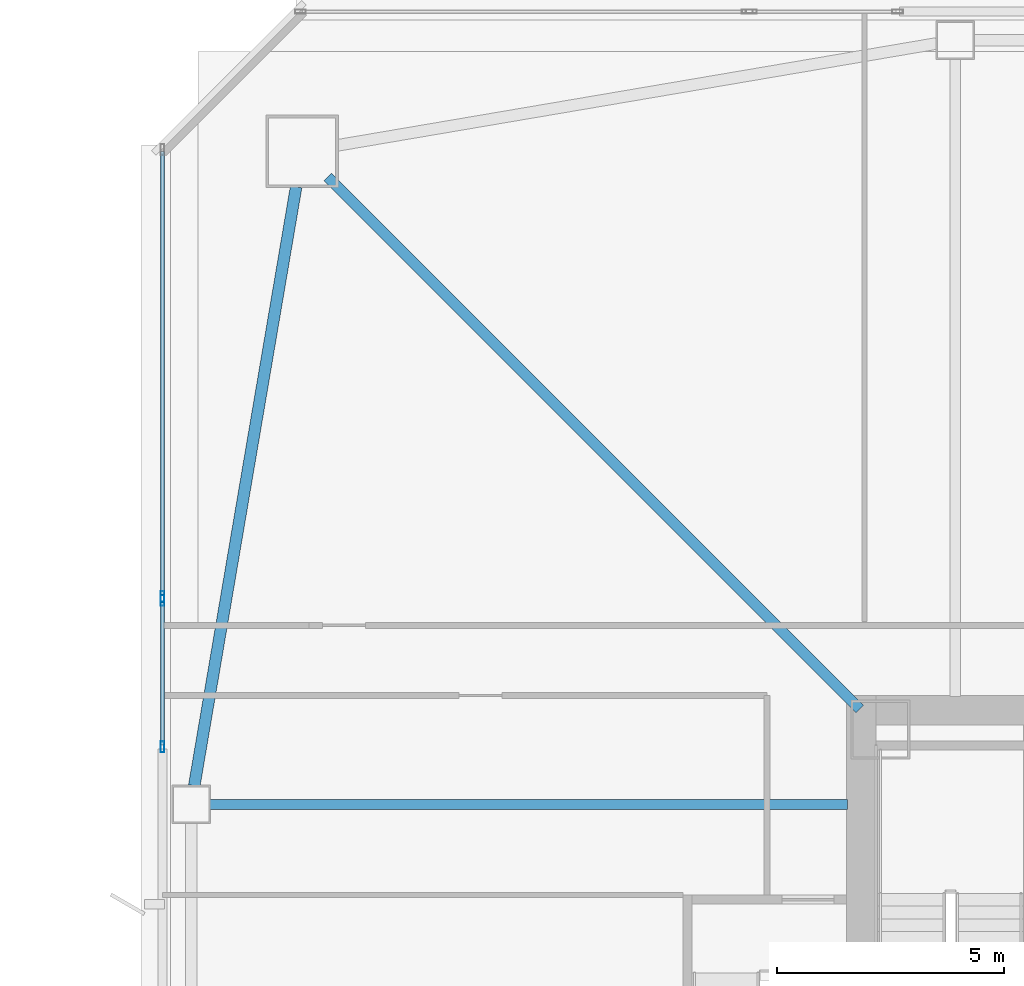
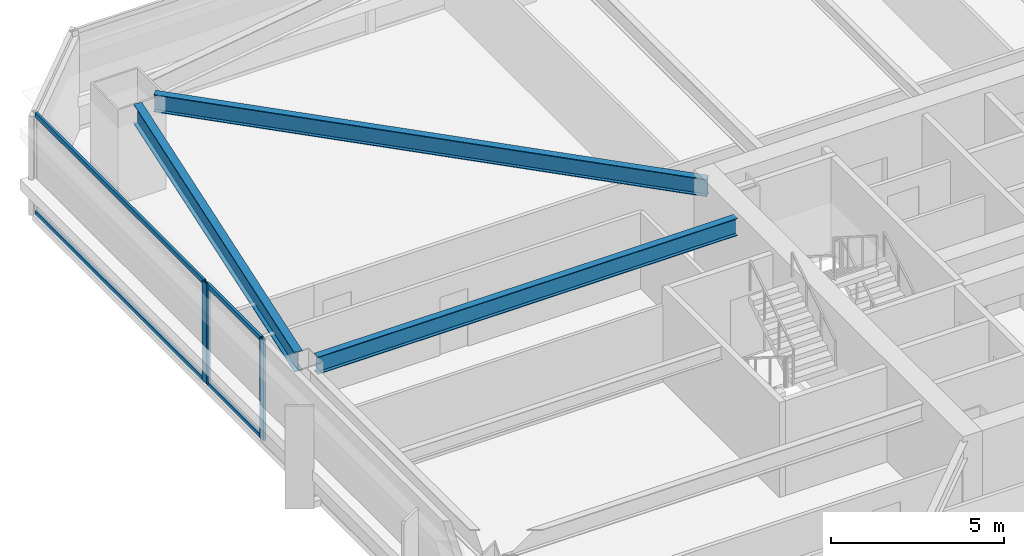
# One storey, part 13 of 62: 7 members, 3 beams, 2 elements without a shape of their own.
"""IFC4 building model written with IfcOpenShell, lengths in metres."""

from ifc_helpers import new_model, si_unit, direction, frame, origin, origin_2d, place, context, subcontext, project, spatial, hollow_rectangle, i_section, extrude, material, material_profile, profile_set, type_object, element, aggregate, save


model = new_model("IFC4")

# Units and contexts
model_context = context("Model", 3, precision=1e-05, world=origin(), true_north=direction((0.0, 1.0)))
body_context = subcontext(model_context, "Body", "Model", "MODEL_VIEW")
ifc_project = project(units=[si_unit("LENGTHUNIT", "METRE"), si_unit("AREAUNIT", "SQUARE_METRE"), si_unit("VOLUMEUNIT", "CUBIC_METRE"), si_unit("PLANEANGLEUNIT", "RADIAN"), si_unit("MASSUNIT", "GRAM", prefix="KILO")], contexts=[model_context])

# Site, building, storey
site_placement = place(None, origin())
site = spatial("IfcSite", under=ifc_project, at=site_placement, CompositionType="ELEMENT")
building_placement = place(site_placement, origin())
building = spatial("IfcBuilding", under=site, at=building_placement, Name="Tashvorn Skyway Center", CompositionType="ELEMENT")
storey_placement = place(building_placement, frame((0.0, 0.0, 28.14990234375)))
storey = spatial("IfcBuildingStorey", under=building, at=storey_placement, Name="L06", CompositionType="ELEMENT", Elevation=28.14990234375)

# Beams
ifc_material_1 = material(Name="Steel ASTM A992 Grade 50", Category="steel")
ifc_material_profile_1 = material_profile(ifc_material_1, i_section(OverallWidth=0.22998046875, OverallDepth=0.616943359375, WebThickness=0.01318359375, FlangeThickness=0.022216796875, at=origin_2d()), Name="W24X94")
ifc_profile_set_1 = profile_set([ifc_material_profile_1], Name="Steel ASTM A992 Grade 50")
beam_type_1 = type_object("IfcBeamType", Name="BM-BEAM-W24X94", PredefinedType="BEAM", material=ifc_profile_set_1)
beam_1_placement = place(storey_placement, frame((22.76220703125, 51.23779296875, 3.04150390625), z_axis=(0.707106781187, -0.707106781187, 0.0), x_axis=(0.707106781187, 0.707106781187, 0.0)))
element("IfcBeam", 1, at=beam_1_placement, inside=storey, type_object=beam_type_1, Name="Tower 1 L06 Primary Floor Girder MC-NW", PredefinedType="BEAM", context=body_context, shape_type="SweptSolid", body=[
    extrude(i_section(OverallWidth=0.22998046875, OverallDepth=0.616943359375, WebThickness=0.01318359375, FlangeThickness=0.022216796875, at=origin_2d()), origin(), (0.0, 0.0, 1.0), 16.591064453125),
])
beam_2_placement = place(storey_placement, frame((20.169921875, 37.39990234375, 3.04150390625), z_axis=(1.0, 0.0, 0.0), x_axis=(0.0, 1.0, 0.0)))
element("IfcBeam", 2, at=beam_2_placement, inside=storey, type_object=beam_type_1, Name="Tower 1 L06 Primary Floor Girder FC-W1", PredefinedType="BEAM", context=body_context, shape_type="SweptSolid", body=[
    extrude(i_section(OverallWidth=0.22998046875, OverallDepth=0.616943359375, WebThickness=0.01318359375, FlangeThickness=0.022216796875, at=origin_2d()), origin(), (0.0, 0.0, 1.0), 14.050048828125),
])
ifc_material_profile_2 = material_profile(ifc_material_1, i_section(OverallWidth=0.256103515625, OverallDepth=0.693115234375, WebThickness=0.014404296875, FlangeThickness=0.023681640625, at=origin_2d()), Name="W27X114")
ifc_profile_set_2 = profile_set([ifc_material_profile_2], Name="Steel ASTM A992 Grade 50")
beam_type_2 = type_object("IfcBeamType", Name="BM-SPANDREL-W27X114", PredefinedType="SPANDREL", material=ifc_profile_set_2)
beam_3_placement = place(storey_placement, frame((22.066650390625, 51.016357421875, 3.003662109375), z_axis=(-0.16771792509, -0.985835025551, 0.0), x_axis=(0.985835025551, -0.16771792509, 0.0)))
element("IfcBeam", 3, at=beam_3_placement, inside=storey, type_object=beam_type_2, Name="Tower 1 L06 Spandrel Beam 10", PredefinedType="SPANDREL", context=body_context, shape_type="SweptSolid", body=[
    extrude(i_section(OverallWidth=0.256103515625, OverallDepth=0.693115234375, WebThickness=0.014404296875, FlangeThickness=0.023681640625, at=origin_2d()), origin(), (0.0, 0.0, 1.0), 13.39208984375),
])

# Curtain wall, members
ifc_material_2 = material(Name="Thermally broken bronze-anodized aluminium 6063-T6", Category="aluminium")
curtain_wall_type = type_object("IfcCurtainWallType", Name="CW-CW-Z1", PredefinedType="NOTDEFINED", material=ifc_material_2)
curtain_wall_1_placement = place(storey_placement, origin())
curtain_wall_1 = element("IfcCurtainWall", 4, at=curtain_wall_1_placement, inside=storey, type_object=curtain_wall_type, Name="Tower 1 L06 West Unitised Curtain Wall Glazing Group 3", PredefinedType="NOTDEFINED")
ifc_material_profile_3 = material_profile(ifc_material_2, hollow_rectangle(XDim=0.0849609375, YDim=0.239990234375, WallThickness=0.0048828125, at=origin_2d()), Name="ALU-MULL-85x240")
ifc_profile_set_3 = profile_set([ifc_material_profile_3], Name="Thermally broken bronze-anodized aluminium 6063-T6")
member_type_1 = type_object("IfcMemberType", Name="CWM-CW-Z1", PredefinedType="MULLION", material=ifc_profile_set_3)
member_1_placement = place(storey_placement, frame((19.1201171875, 38.669189453125, 0.0), z_axis=(0.0, 0.0, 1.0), x_axis=(-1.0, 0.0, 0.0)))
member_1 = element("IfcMember", 5, at=member_1_placement, type_object=member_type_1, Name="CW-Z1 mullion 1", PredefinedType="MULLION", context=body_context, shape_type="SweptSolid", body=[
    extrude(hollow_rectangle(XDim=0.0849609375, YDim=0.239990234375, WallThickness=0.0048828125, at=origin_2d()), origin(), (0.0, 0.0, 1.0), 3.550048828125),
])
member_2_placement = place(storey_placement, frame((19.1201171875, 41.8974609375, 0.0), z_axis=(0.0, 0.0, 1.0), x_axis=(-1.0, 0.0, 0.0)))
member_2 = element("IfcMember", 6, at=member_2_placement, type_object=member_type_1, Name="CW-Z1 mullion 2", PredefinedType="MULLION", context=body_context, shape_type="SweptSolid", body=[
    extrude(hollow_rectangle(XDim=0.0849609375, YDim=0.239990234375, WallThickness=0.0048828125, at=origin_2d()), origin(), (0.0, 0.0, 1.0), 3.550048828125),
])

# Curtain wall, member
curtain_wall_2_placement = place(storey_placement, origin())
curtain_wall_2 = element("IfcCurtainWall", 7, at=curtain_wall_2_placement, inside=storey, type_object=curtain_wall_type, Name="Tower 1 L06 West Unitised Curtain Wall Glazing Group 4", PredefinedType="NOTDEFINED")
member_3_placement = place(storey_placement, frame((19.1201171875, 41.982421875, 0.0), z_axis=(0.0, 0.0, 1.0), x_axis=(-1.0, 0.0, 0.0)))
member_3 = element("IfcMember", 8, at=member_3_placement, type_object=member_type_1, Name="CW-Z1 mullion 1", PredefinedType="MULLION", context=body_context, shape_type="SweptSolid", body=[
    extrude(hollow_rectangle(XDim=0.0849609375, YDim=0.239990234375, WallThickness=0.0048828125, at=origin_2d()), origin(), (0.0, 0.0, 1.0), 3.550048828125),
])

# Member
ifc_material_profile_4 = material_profile(ifc_material_2, hollow_rectangle(XDim=0.0849609375, YDim=0.1650390625, WallThickness=0.0048828125, at=origin_2d()), Name="ALU-TRAN-85x165")
ifc_profile_set_4 = profile_set([ifc_material_profile_4], Name="Thermally broken bronze-anodized aluminium 6063-T6")
member_type_2 = type_object("IfcMemberType", Name="CWT-CW-Z1", PredefinedType="USERDEFINED", material=ifc_profile_set_4)
member_4_placement = place(storey_placement, frame((19.1201171875, 38.711669921875, 0.04248046875), z_axis=(0.0, 1.0, 0.0), x_axis=(-1.0, 0.0, 0.0)))
member_4 = element("IfcMember", 9, at=member_4_placement, type_object=member_type_2, Name="CW-Z1 transom 1.1", ObjectType="TRANSOM", PredefinedType="USERDEFINED", context=body_context, shape_type="SweptSolid", body=[
    extrude(hollow_rectangle(XDim=0.0849609375, YDim=0.1650390625, WallThickness=0.0048828125, at=origin_2d()), origin(), (0.0, 0.0, 1.0), 3.143310546875),
])

member_5_placement = place(storey_placement, frame((19.1201171875, 38.711669921875, 3.507568359375), z_axis=(0.0, 1.0, 0.0), x_axis=(-1.0, 0.0, 0.0)))
member_5 = element("IfcMember", 10, at=member_5_placement, type_object=member_type_2, Name="CW-Z1 transom 1.2", ObjectType="TRANSOM", PredefinedType="USERDEFINED", context=body_context, shape_type="SweptSolid", body=[
    extrude(hollow_rectangle(XDim=0.0849609375, YDim=0.1650390625, WallThickness=0.0048828125, at=origin_2d()), origin(), (0.0, 0.0, 1.0), 3.143310546875),
])

aggregate(curtain_wall_1, [member_1, member_2, member_4, member_5])

member_6_placement = place(storey_placement, frame((19.1201171875, 42.02490234375, 0.04248046875), z_axis=(0.0, 1.0, 0.0), x_axis=(-1.0, 0.0, 0.0)))
member_6 = element("IfcMember", 11, at=member_6_placement, type_object=member_type_2, Name="CW-Z1 transom 1.1", ObjectType="TRANSOM", PredefinedType="USERDEFINED", context=body_context, shape_type="SweptSolid", body=[
    extrude(hollow_rectangle(XDim=0.0849609375, YDim=0.1650390625, WallThickness=0.0048828125, at=origin_2d()), origin(), (0.0, 0.0, 1.0), 9.77001953125),
])

member_7_placement = place(storey_placement, frame((19.1201171875, 42.02490234375, 3.507568359375), z_axis=(0.0, 1.0, 0.0), x_axis=(-1.0, 0.0, 0.0)))
member_7 = element("IfcMember", 12, at=member_7_placement, type_object=member_type_2, Name="CW-Z1 transom 1.2", ObjectType="TRANSOM", PredefinedType="USERDEFINED", context=body_context, shape_type="SweptSolid", body=[
    extrude(hollow_rectangle(XDim=0.0849609375, YDim=0.1650390625, WallThickness=0.0048828125, at=origin_2d()), origin(), (0.0, 0.0, 1.0), 9.77001953125),
])

aggregate(curtain_wall_2, [member_3, member_6, member_7])

save(model, "model.ifc")
